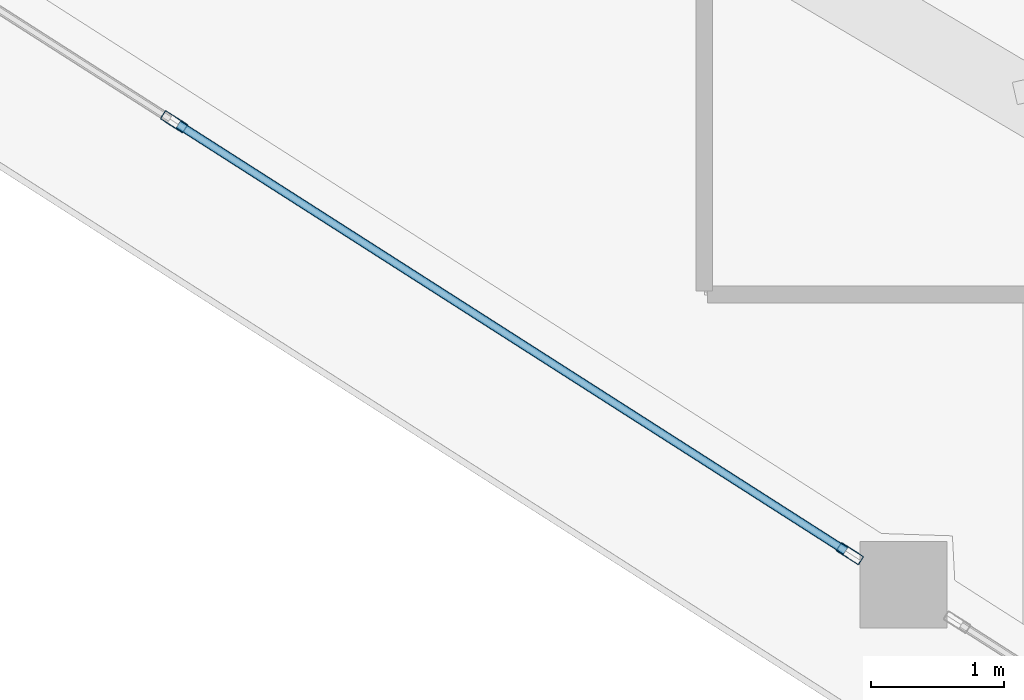
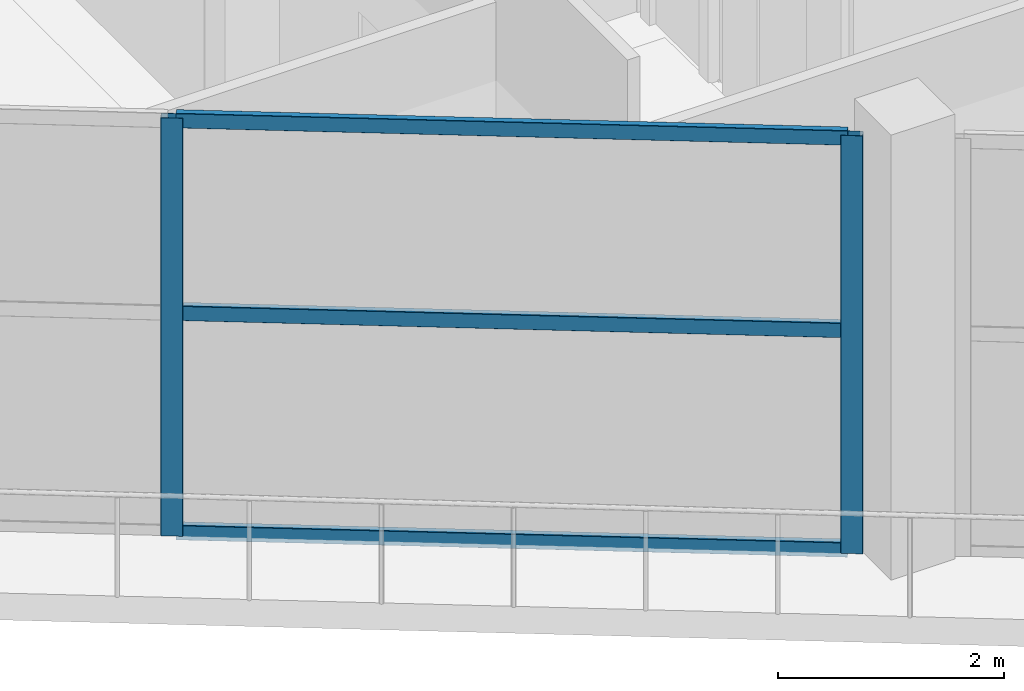
# One storey, part 2 of 36: 5 members, 1 element without a shape of its own.
"""IFC4 building model written with IfcOpenShell, lengths in metres."""

from ifc_helpers import new_model, si_unit, direction, frame, origin, origin_2d, place, context, subcontext, project, spatial, hollow_rectangle, extrude, material, layer, layer_set, material_profile, profile_set, type_object, element, aggregate, save


model = new_model("IFC4")

# Units and contexts
model_context = context("Model", 3, precision=1e-05, world=origin(), true_north=direction((0.0, 1.0)))
body_context = subcontext(model_context, "Body", "Model", "MODEL_VIEW")
ifc_project = project(units=[si_unit("LENGTHUNIT", "METRE"), si_unit("AREAUNIT", "SQUARE_METRE"), si_unit("VOLUMEUNIT", "CUBIC_METRE"), si_unit("PLANEANGLEUNIT", "RADIAN"), si_unit("MASSUNIT", "GRAM", prefix="KILO")], contexts=[model_context])

# Site, building, storey
site_placement = place(None, origin())
site = spatial("IfcSite", under=ifc_project, at=site_placement, CompositionType="ELEMENT")
building_placement = place(site_placement, origin())
building = spatial("IfcBuilding", under=site, at=building_placement, Name="Qorvath Tower", CompositionType="ELEMENT")
storey_placement = place(building_placement, frame((0.0, 0.0, 255.0)))
storey = spatial("IfcBuildingStorey", under=building, at=storey_placement, Name="L59", CompositionType="ELEMENT", Elevation=255.0)

# Curtain wall, members
ifc_material_1 = material(Name="Anodised aluminium and triple low-E glass", Category="aluminium")
ifc_layer = layer(ifc_material_1, 0.179931640625)
ifc_layer_set = layer_set([ifc_layer], Name="CW-SYS-5")
curtain_wall_type = type_object("IfcCurtainWallType", Name="CW-SYS-5", PredefinedType="NOTDEFINED", material=ifc_layer_set)
curtain_wall_placement = place(storey_placement, origin())
curtain_wall = element("IfcCurtainWall", 1, at=curtain_wall_placement, inside=storey, type_object=curtain_wall_type, Name="Curtain Wall CW-5 CW-T-L59-2.1", PredefinedType="NOTDEFINED")
ifc_material_2 = material(Name="Anodised aluminium 6063-T6", Category="aluminium")
ifc_material_profile_1 = material_profile(ifc_material_2, hollow_rectangle(XDim=0.074951171875, YDim=0.199951171875, WallThickness=0.00390625, InnerFilletRadius=0.00390625, OuterFilletRadius=0.008056640625, at=origin_2d()), Name="CWM 200x75")
ifc_profile_set_1 = profile_set([ifc_material_profile_1], Name="Anodised aluminium 6063-T6")
member_type_1 = type_object("IfcMemberType", Name="CWM-200", PredefinedType="MULLION", material=ifc_profile_set_1)
member_1_placement = place(storey_placement, frame((-41.835205078125, -9.662109375, 0.0), z_axis=(0.0, 0.0, 1.0), x_axis=(0.538531676797, 0.842605265285, 0.0)))
member_1 = element("IfcMember", 2, at=member_1_placement, type_object=member_type_1, Name="CW-5 mullion 3", PredefinedType="MULLION", context=body_context, shape_type="SweptSolid", body=[
    extrude(hollow_rectangle(XDim=0.074951171875, YDim=0.199951171875, WallThickness=0.00390625, InnerFilletRadius=0.00390625, OuterFilletRadius=0.008056640625, at=origin_2d()), origin(), (0.0, 0.0, 1.0), 4.510009765625),
])
member_2_placement = place(storey_placement, frame((-36.76611328125, -12.901611328125, 0.0), z_axis=(0.0, 0.0, 1.0), x_axis=(0.538531676797, 0.842605265285, 0.0)))
member_2 = element("IfcMember", 3, at=member_2_placement, type_object=member_type_1, Name="CW-5 mullion 4", PredefinedType="MULLION", context=body_context, shape_type="SweptSolid", body=[
    extrude(hollow_rectangle(XDim=0.074951171875, YDim=0.199951171875, WallThickness=0.00390625, InnerFilletRadius=0.00390625, OuterFilletRadius=0.008056640625, at=origin_2d()), origin(), (0.0, 0.0, 1.0), 4.510009765625),
])
ifc_material_3 = material(Name="Anodised aluminium 6063-T6", Category="aluminium")
ifc_material_profile_2 = material_profile(ifc_material_3, hollow_rectangle(XDim=0.06494140625, YDim=0.159912109375, WallThickness=0.00341796875, InnerFilletRadius=0.00341796875, OuterFilletRadius=0.007080078125, at=origin_2d()), Name="CWT 160x65")
ifc_profile_set_2 = profile_set([ifc_material_profile_2], Name="Anodised aluminium 6063-T6")
member_type_2 = type_object("IfcMemberType", Name="CWT-160", PredefinedType="USERDEFINED", material=ifc_profile_set_2)
member_3_placement = place(storey_placement, frame((-41.803466796875, -9.68212890625, 0.032470703125), z_axis=(0.842586961431, -0.538560314567, 0.0), x_axis=(0.538560314567, 0.842586961431, 0.0)))
member_3 = element("IfcMember", 4, at=member_3_placement, type_object=member_type_2, Name="CW-5 transom 3.1", ObjectType="TRANSOM", PredefinedType="USERDEFINED", context=body_context, shape_type="SweptSolid", body=[
    extrude(hollow_rectangle(XDim=0.06494140625, YDim=0.159912109375, WallThickness=0.00341796875, InnerFilletRadius=0.00341796875, OuterFilletRadius=0.007080078125, at=origin_2d()), origin(), (0.0, 0.0, 1.0), 5.940673828125),
])
member_4_placement = place(storey_placement, frame((-41.803466796875, -9.68212890625, 2.39990234375), z_axis=(0.842586961431, -0.538560314567, 0.0), x_axis=(0.538560314567, 0.842586961431, 0.0)))
member_4 = element("IfcMember", 5, at=member_4_placement, type_object=member_type_2, Name="CW-5 transom 3.2", ObjectType="TRANSOM", PredefinedType="USERDEFINED", context=body_context, shape_type="SweptSolid", body=[
    extrude(hollow_rectangle(XDim=0.06494140625, YDim=0.159912109375, WallThickness=0.00341796875, InnerFilletRadius=0.00341796875, OuterFilletRadius=0.007080078125, at=origin_2d()), origin(), (0.0, 0.0, 1.0), 5.940673828125),
])
member_5_placement = place(storey_placement, frame((-41.803466796875, -9.68212890625, 4.4775390625), z_axis=(0.842586961431, -0.538560314567, 0.0), x_axis=(0.538560314567, 0.842586961431, 0.0)))
member_5 = element("IfcMember", 6, at=member_5_placement, type_object=member_type_2, Name="CW-5 transom 3.3", ObjectType="TRANSOM", PredefinedType="USERDEFINED", context=body_context, shape_type="SweptSolid", body=[
    extrude(hollow_rectangle(XDim=0.06494140625, YDim=0.159912109375, WallThickness=0.00341796875, InnerFilletRadius=0.00341796875, OuterFilletRadius=0.007080078125, at=origin_2d()), origin(), (0.0, 0.0, 1.0), 5.940673828125),
])
aggregate(curtain_wall, [member_1, member_2, member_3, member_4, member_5])

save(model, "model.ifc")
